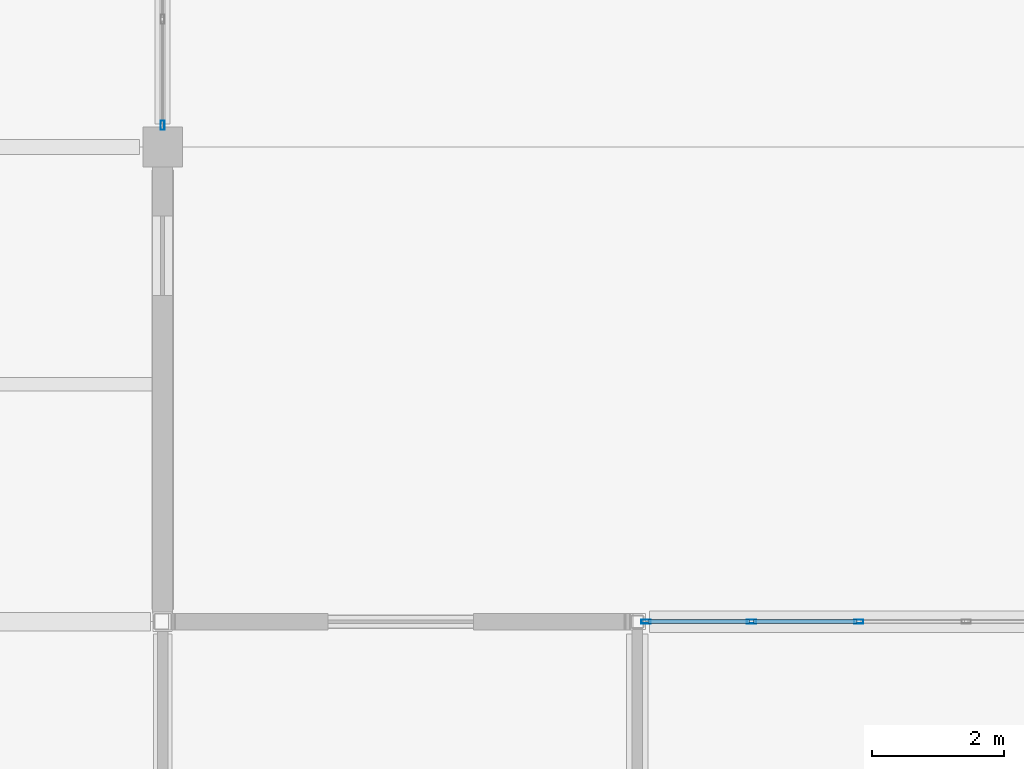
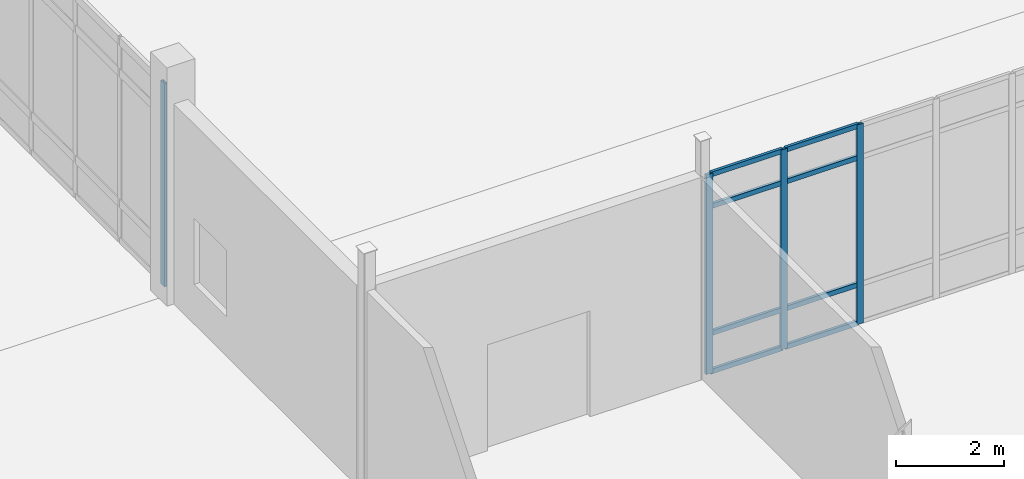
# One storey, part 70 of 229: 12 members, 2 elements without a shape of their own.
"""IFC4 building model written with IfcOpenShell, lengths in metres."""

from ifc_helpers import new_model, si_unit, direction, frame, origin, origin_2d, place, context, subcontext, project, spatial, hollow_rectangle, extrude, material, layer, layer_set, material_profile, profile_set, type_object, element, aggregate, save


model = new_model("IFC4")

# Units and contexts
model_context = context("Model", 3, precision=1e-05, world=origin(), true_north=direction((0.0, 1.0)))
body_context = subcontext(model_context, "Body", "Model", "MODEL_VIEW")
ifc_project = project(units=[si_unit("LENGTHUNIT", "METRE"), si_unit("AREAUNIT", "SQUARE_METRE"), si_unit("VOLUMEUNIT", "CUBIC_METRE"), si_unit("PLANEANGLEUNIT", "RADIAN"), si_unit("MASSUNIT", "GRAM", prefix="KILO")], contexts=[model_context])

# Site, building, storey
site_placement = place(None, origin())
site = spatial("IfcSite", under=ifc_project, at=site_placement, CompositionType="ELEMENT")
building_placement = place(site_placement, origin())
building = spatial("IfcBuilding", under=site, at=building_placement, Name="Calvrana Isthmian Art Gallery", CompositionType="ELEMENT")
storey_placement = place(building_placement, origin())
storey = spatial("IfcBuildingStorey", under=building, at=storey_placement, Name="L00", CompositionType="ELEMENT", Elevation=0.0)

# Curtain wall, members
ifc_material = material(Name="Anodized bronze aluminium 6063-T6", Category="aluminium")
ifc_layer_1 = layer(ifc_material, 0.179931640625, Name="Anodized bronze aluminium 6063-T6")
ifc_layer_set_1 = layer_set([ifc_layer_1], Name="Anodized bronze aluminium 6063-T6")
curtain_wall_type_1 = type_object("IfcCurtainWallType", Name="CW-UNIT-081X45", PredefinedType="USERDEFINED", material=ifc_layer_set_1)
curtain_wall_1_placement = place(storey_placement, origin())
curtain_wall_1 = element("IfcCurtainWall", 1, at=curtain_wall_1_placement, inside=storey, type_object=curtain_wall_type_1, Name="Curtain wall CW-030", ObjectType="UNITISED CURTAIN WALL", PredefinedType="USERDEFINED")
ifc_material_profile_1 = material_profile(ifc_material, hollow_rectangle(XDim=0.06005859375, YDim=0.139892578125, WallThickness=0.00390625, at=origin_2d()), Name="CWM60X140")
ifc_profile_set_1 = profile_set([ifc_material_profile_1], Name="Anodized bronze aluminium 6063-T6")
member_type_1 = type_object("IfcMemberType", Name="CWM-CWM60X140", PredefinedType="MULLION", material=ifc_profile_set_1)
member_1_placement = place(storey_placement, frame((21.731689453125, 69.60009765625, 0.0), z_axis=(0.0, 0.0, 1.0), x_axis=(0.0, 1.0, 0.0)))
member_1 = element("IfcMember", 2, at=member_1_placement, type_object=member_type_1, Name="CW-030 mullion 1", PredefinedType="MULLION", context=body_context, shape_type="SweptSolid", body=[
    extrude(hollow_rectangle(XDim=0.06005859375, YDim=0.139892578125, WallThickness=0.00390625, at=origin_2d()), origin(), (0.0, 0.0, 1.0), 4.528076171875),
])
member_2_placement = place(storey_placement, frame((23.330810546875, 69.60009765625, 0.0), z_axis=(0.0, 0.0, 1.0), x_axis=(0.0, 1.0, 0.0)))
member_2 = element("IfcMember", 3, at=member_2_placement, type_object=member_type_1, Name="CW-030 mullion 2", PredefinedType="MULLION", context=body_context, shape_type="SweptSolid", body=[
    extrude(hollow_rectangle(XDim=0.06005859375, YDim=0.139892578125, WallThickness=0.00390625, at=origin_2d()), origin(), (0.0, 0.0, 1.0), 4.528076171875),
])
member_3_placement = place(storey_placement, frame((24.9599609375, 69.60009765625, 0.0), z_axis=(0.0, 0.0, 1.0), x_axis=(0.0, 1.0, 0.0)))
member_3 = element("IfcMember", 4, at=member_3_placement, type_object=member_type_1, Name="CW-030 mullion 3", PredefinedType="MULLION", context=body_context, shape_type="SweptSolid", body=[
    extrude(hollow_rectangle(XDim=0.06005859375, YDim=0.139892578125, WallThickness=0.00390625, at=origin_2d()), origin(), (0.0, 0.0, 1.0), 4.528076171875),
])

# Curtain wall, member
ifc_layer_2 = layer(ifc_material, 0.179931640625, Name="Anodized bronze aluminium 6063-T6")
ifc_layer_set_2 = layer_set([ifc_layer_2], Name="Anodized bronze aluminium 6063-T6")
curtain_wall_type_2 = type_object("IfcCurtainWallType", Name="CW-UNIT-066X46", PredefinedType="USERDEFINED", material=ifc_layer_set_2)
curtain_wall_2_placement = place(storey_placement, origin())
curtain_wall_2 = element("IfcCurtainWall", 5, at=curtain_wall_2_placement, inside=storey, type_object=curtain_wall_type_2, Name="Curtain wall CW-054", ObjectType="UNITISED CURTAIN WALL", PredefinedType="USERDEFINED")
member_4_placement = place(storey_placement, frame((14.39990234375, 77.1298828125, 0.0), z_axis=(0.0, 0.0, 1.0), x_axis=(1.0, 0.0, 0.0)))
member_4 = element("IfcMember", 6, at=member_4_placement, type_object=member_type_1, Name="CW-054 mullion 5", PredefinedType="MULLION", context=body_context, shape_type="SweptSolid", body=[
    extrude(hollow_rectangle(XDim=0.06005859375, YDim=0.139892578125, WallThickness=0.00390625, at=origin_2d()), origin(), (0.0, 0.0, 1.0), 4.60693359375),
])
aggregate(curtain_wall_2, [member_4])

# Member
ifc_material_profile_2 = material_profile(ifc_material, hollow_rectangle(XDim=0.06005859375, YDim=0.110107421875, WallThickness=0.00341796875, at=origin_2d()), Name="CWT60X110")
ifc_profile_set_2 = profile_set([ifc_material_profile_2], Name="Anodized bronze aluminium 6063-T6")
member_type_2 = type_object("IfcMemberType", Name="CWT-CWT60X110", PredefinedType="USERDEFINED", material=ifc_profile_set_2)
member_5_placement = place(storey_placement, frame((21.76171875, 69.60009765625, 0.030029296875), z_axis=(1.0, 0.0, 0.0), x_axis=(0.0, 1.0, 0.0)))
member_5 = element("IfcMember", 7, at=member_5_placement, type_object=member_type_2, Name="CW-030 transom 1.1", ObjectType="TRANSOM", PredefinedType="USERDEFINED", context=body_context, shape_type="SweptSolid", body=[
    extrude(hollow_rectangle(XDim=0.06005859375, YDim=0.110107421875, WallThickness=0.00341796875, at=origin_2d()), origin(), (0.0, 0.0, 1.0), 1.5390625),
])

member_6_placement = place(storey_placement, frame((21.76171875, 69.60009765625, 0.89990234375), z_axis=(1.0, 0.0, 0.0), x_axis=(0.0, 1.0, 0.0)))
member_6 = element("IfcMember", 8, at=member_6_placement, type_object=member_type_2, Name="CW-030 transom 1.2", ObjectType="TRANSOM", PredefinedType="USERDEFINED", context=body_context, shape_type="SweptSolid", body=[
    extrude(hollow_rectangle(XDim=0.06005859375, YDim=0.110107421875, WallThickness=0.00341796875, at=origin_2d()), origin(), (0.0, 0.0, 1.0), 1.5390625),
])

member_7_placement = place(storey_placement, frame((21.76171875, 69.60009765625, 3.778076171875), z_axis=(1.0, 0.0, 0.0), x_axis=(0.0, 1.0, 0.0)))
member_7 = element("IfcMember", 9, at=member_7_placement, type_object=member_type_2, Name="CW-030 transom 1.3", ObjectType="TRANSOM", PredefinedType="USERDEFINED", context=body_context, shape_type="SweptSolid", body=[
    extrude(hollow_rectangle(XDim=0.06005859375, YDim=0.110107421875, WallThickness=0.00341796875, at=origin_2d()), origin(), (0.0, 0.0, 1.0), 1.5390625),
])

member_8_placement = place(storey_placement, frame((21.76171875, 69.60009765625, 4.498046875), z_axis=(1.0, 0.0, 0.0), x_axis=(0.0, 1.0, 0.0)))
member_8 = element("IfcMember", 10, at=member_8_placement, type_object=member_type_2, Name="CW-030 transom 1.4", ObjectType="TRANSOM", PredefinedType="USERDEFINED", context=body_context, shape_type="SweptSolid", body=[
    extrude(hollow_rectangle(XDim=0.06005859375, YDim=0.110107421875, WallThickness=0.00341796875, at=origin_2d()), origin(), (0.0, 0.0, 1.0), 1.5390625),
])

member_9_placement = place(storey_placement, frame((23.36083984375, 69.60009765625, 0.030029296875), z_axis=(1.0, 0.0, 0.0), x_axis=(0.0, 1.0, 0.0)))
member_9 = element("IfcMember", 11, at=member_9_placement, type_object=member_type_2, Name="CW-030 transom 2.1", ObjectType="TRANSOM", PredefinedType="USERDEFINED", context=body_context, shape_type="SweptSolid", body=[
    extrude(hollow_rectangle(XDim=0.06005859375, YDim=0.110107421875, WallThickness=0.00341796875, at=origin_2d()), origin(), (0.0, 0.0, 1.0), 1.569091796875),
])

member_10_placement = place(storey_placement, frame((23.36083984375, 69.60009765625, 0.89990234375), z_axis=(1.0, 0.0, 0.0), x_axis=(0.0, 1.0, 0.0)))
member_10 = element("IfcMember", 12, at=member_10_placement, type_object=member_type_2, Name="CW-030 transom 2.2", ObjectType="TRANSOM", PredefinedType="USERDEFINED", context=body_context, shape_type="SweptSolid", body=[
    extrude(hollow_rectangle(XDim=0.06005859375, YDim=0.110107421875, WallThickness=0.00341796875, at=origin_2d()), origin(), (0.0, 0.0, 1.0), 1.569091796875),
])

member_11_placement = place(storey_placement, frame((23.36083984375, 69.60009765625, 3.778076171875), z_axis=(1.0, 0.0, 0.0), x_axis=(0.0, 1.0, 0.0)))
member_11 = element("IfcMember", 13, at=member_11_placement, type_object=member_type_2, Name="CW-030 transom 2.3", ObjectType="TRANSOM", PredefinedType="USERDEFINED", context=body_context, shape_type="SweptSolid", body=[
    extrude(hollow_rectangle(XDim=0.06005859375, YDim=0.110107421875, WallThickness=0.00341796875, at=origin_2d()), origin(), (0.0, 0.0, 1.0), 1.569091796875),
])

member_12_placement = place(storey_placement, frame((23.36083984375, 69.60009765625, 4.498046875), z_axis=(1.0, 0.0, 0.0), x_axis=(0.0, 1.0, 0.0)))
member_12 = element("IfcMember", 14, at=member_12_placement, type_object=member_type_2, Name="CW-030 transom 2.4", ObjectType="TRANSOM", PredefinedType="USERDEFINED", context=body_context, shape_type="SweptSolid", body=[
    extrude(hollow_rectangle(XDim=0.06005859375, YDim=0.110107421875, WallThickness=0.00341796875, at=origin_2d()), origin(), (0.0, 0.0, 1.0), 1.569091796875),
])

aggregate(curtain_wall_1, [member_1, member_2, member_3, member_5, member_6, member_7, member_8, member_9, member_10, member_11, member_12])

save(model, "model.ifc")
